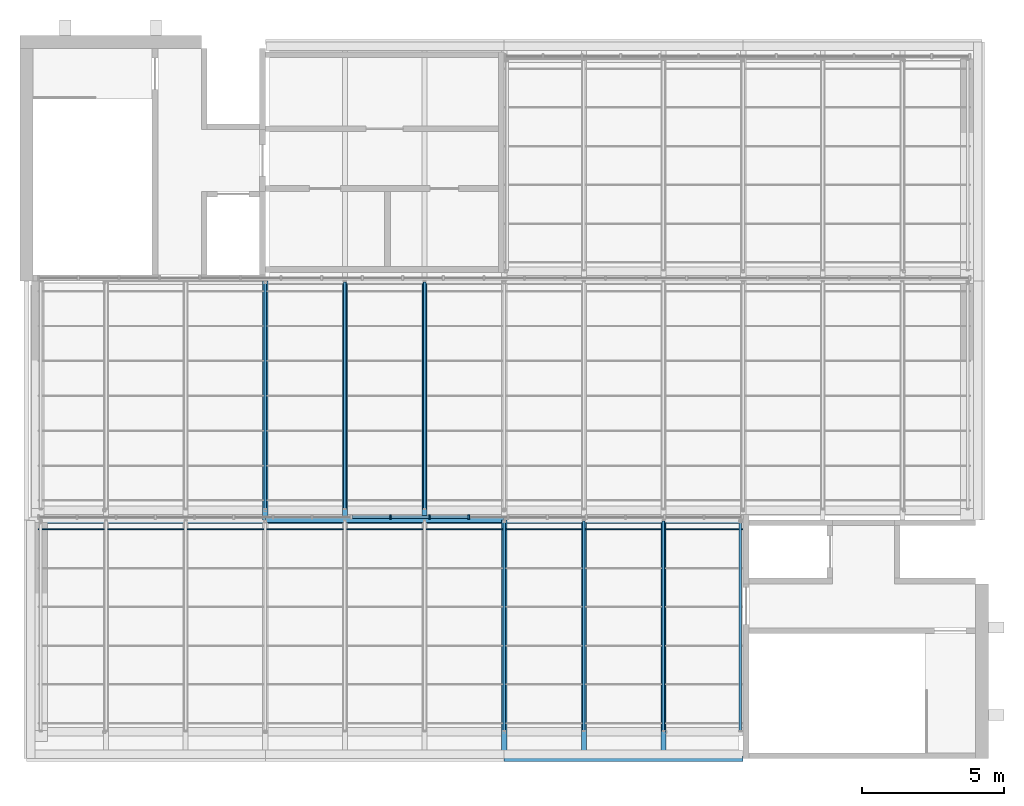
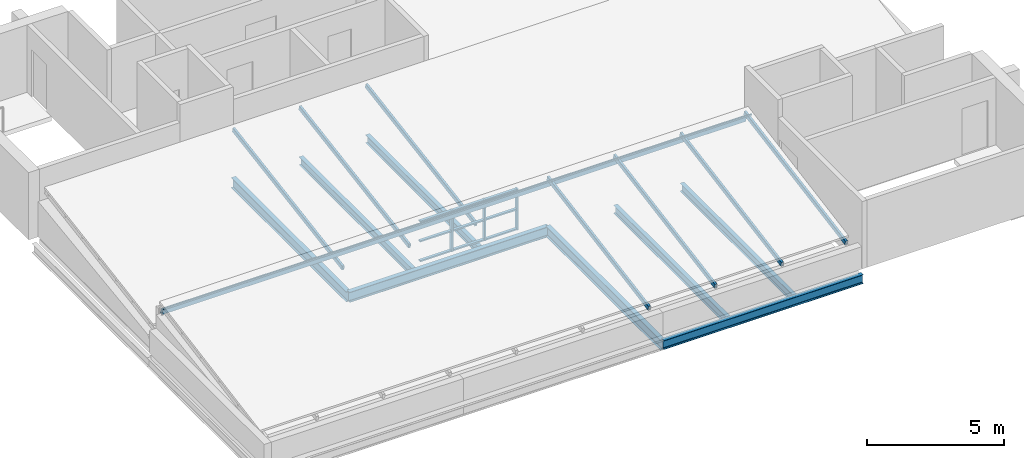
# One storey, part 3 of 33: 20 members, 9 beams, 1 element without a shape of its own.
"""IFC4 building model written with IfcOpenShell, lengths in metres."""

from ifc_helpers import new_model, si_unit, direction, frame, origin, origin_2d, place, context, subcontext, project, spatial, rectangle, hollow_rectangle, i_section, extrude, material, layer, layer_set, material_profile, profile_set, type_object, element, aggregate, save


model = new_model("IFC4")

# Units and contexts
model_context = context("Model", 3, precision=1e-05, world=origin(), true_north=direction((0.0, 1.0)))
body_context = subcontext(model_context, "Body", "Model", "MODEL_VIEW")
ifc_project = project(units=[si_unit("LENGTHUNIT", "METRE"), si_unit("AREAUNIT", "SQUARE_METRE"), si_unit("VOLUMEUNIT", "CUBIC_METRE"), si_unit("PLANEANGLEUNIT", "RADIAN"), si_unit("MASSUNIT", "GRAM", prefix="KILO")], contexts=[model_context])

# Site, building, storey
site_placement = place(None, origin())
site = spatial("IfcSite", under=ifc_project, at=site_placement, CompositionType="ELEMENT")
building_placement = place(site_placement, origin())
building = spatial("IfcBuilding", under=site, at=building_placement, Name="Ardhachandra Cancer Care Centre", CompositionType="ELEMENT")
storey_placement = place(building_placement, frame((0.0, 0.0, 27.0)))
storey = spatial("IfcBuildingStorey", under=building, at=storey_placement, Name="Roof", CompositionType="ELEMENT", Elevation=27.0)

# Beams
ifc_material_1 = material(Name="Steel E350 (IS 2062)", Category="steel")
ifc_material_profile_1 = material_profile(ifc_material_1, i_section(OverallWidth=0.172119140625, OverallDepth=0.364013671875, WebThickness=0.00927734375, FlangeThickness=0.0146484375, FilletRadius=0.01806640625, at=origin_2d()), Name="NPB 350x170x66.04")
ifc_profile_set_1 = profile_set([ifc_material_profile_1], Name="Steel E350 (IS 2062)")
beam_type_1 = type_object("IfcBeamType", Name="Beam NPB 350x170x66.04", PredefinedType="BEAM", material=ifc_profile_set_1)
for number, where, z_axis, x_axis, name in (
    (1, (122.800048828125, 88.2958984375, -0.382080078125), (0.0, 1.0, 0.0), (-1.0, 0.0, 0.0), "Secondary K14-L14@2800"),
    (2, (125.60009765625, 88.2958984375, -0.382080078125), (0.0, 1.0, 0.0), (-1.0, 0.0, 0.0), "Secondary K14-L14@5600"),
):
    element("IfcBeam", number, at=place(storey_placement, frame(where, z_axis=z_axis, x_axis=x_axis)), inside=storey, type_object=beam_type_1, Name=name, PredefinedType="BEAM", context=body_context, shape_type="SweptSolid", body=[
        extrude(i_section(OverallWidth=0.172119140625, OverallDepth=0.364013671875, WebThickness=0.00927734375, FlangeThickness=0.0146484375, FilletRadius=0.01806640625, at=origin_2d()), origin(), (0.0, 0.0, 1.0), 8.2080078125),
    ])
for number, where, z_axis, x_axis, name in (
    (3, (131.199951171875, 79.889892578125, -0.382080078125), (0.0, 1.0, 0.0), (-1.0, 0.0, 0.0), "Secondary J15-K15@2800"),
    (4, (134.0, 79.889892578125, -0.382080078125), (0.0, 1.0, 0.0), (-1.0, 0.0, 0.0), "Secondary J15-K15@5600"),
):
    element("IfcBeam", number, at=place(storey_placement, frame(where, z_axis=z_axis, x_axis=x_axis)), inside=storey, type_object=beam_type_1, Name=name, PredefinedType="BEAM", context=body_context, shape_type="SweptSolid", body=[
        extrude(i_section(OverallWidth=0.172119140625, OverallDepth=0.364013671875, WebThickness=0.00927734375, FlangeThickness=0.0146484375, FilletRadius=0.01806640625, at=origin_2d()), origin(), (0.0, 0.0, 1.0), 8.214111328125),
    ])
ifc_material_2 = material(Name="Steel E350 (IS 2062)", Category="steel")
ifc_material_profile_2 = material_profile(ifc_material_2, i_section(OverallWidth=0.179931640625, OverallDepth=0.39990234375, WebThickness=0.008544921875, FlangeThickness=0.013427734375, FilletRadius=0.02099609375, at=origin_2d()), Name="NPB 400x180x66.30")
ifc_profile_set_2 = profile_set([ifc_material_profile_2], Name="Steel E350 (IS 2062)")
beam_type_2 = type_object("IfcBeamType", Name="Beam NPB 400x180x66.30", PredefinedType="BEAM", material=ifc_profile_set_2)
beam_1_placement = place(storey_placement, frame((128.39990234375, 79.800048828125, -0.39990234375), z_axis=(1.0, 0.0, 0.0), x_axis=(0.0, 1.0, 0.0)))
element("IfcBeam", 5, at=beam_1_placement, inside=storey, type_object=beam_type_2, Name="Edge girder J15-J16", PredefinedType="BEAM", context=body_context, shape_type="SweptSolid", body=[
    extrude(i_section(OverallWidth=0.179931640625, OverallDepth=0.39990234375, WebThickness=0.008544921875, FlangeThickness=0.013427734375, FilletRadius=0.02099609375, at=origin_2d()), origin(), (0.0, 0.0, 1.0), 8.400146484375),
])
ifc_material_3 = material(Name="Steel E350 (IS 2062)", Category="steel")
ifc_material_profile_3 = material_profile(ifc_material_3, i_section(OverallWidth=0.19189453125, OverallDepth=0.4560546875, WebThickness=0.010986328125, FlangeThickness=0.017578125, FilletRadius=0.02099609375, at=origin_2d()), Name="NPB 450x190x92.36")
ifc_profile_set_3 = profile_set([ifc_material_profile_3], Name="Steel E350 (IS 2062)")
beam_type_3 = type_object("IfcBeamType", Name="Beam NPB 450x190x92.36", PredefinedType="BEAM", material=ifc_profile_set_3)
beam_2_placement = place(storey_placement, frame((120.0, 88.199951171875, -0.427978515625), z_axis=(1.0, 0.0, 0.0), x_axis=(0.0, 1.0, 0.0)))
element("IfcBeam", 6, at=beam_2_placement, inside=storey, type_object=beam_type_3, Name="Girder K14-K15", PredefinedType="BEAM", context=body_context, shape_type="SweptSolid", body=[
    extrude(i_section(OverallWidth=0.19189453125, OverallDepth=0.4560546875, WebThickness=0.010986328125, FlangeThickness=0.017578125, FilletRadius=0.02099609375, at=origin_2d()), origin(), (0.0, 0.0, 1.0), 8.39990234375),
])
beam_3_placement = place(storey_placement, frame((120.0, 88.199951171875, -0.427978515625), z_axis=(0.0, 1.0, 0.0), x_axis=(-1.0, 0.0, 0.0)))
element("IfcBeam", 7, at=beam_3_placement, inside=storey, type_object=beam_type_3, Name="Girder K14-L14", PredefinedType="BEAM", context=body_context, shape_type="SweptSolid", body=[
    extrude(i_section(OverallWidth=0.19189453125, OverallDepth=0.4560546875, WebThickness=0.010986328125, FlangeThickness=0.017578125, FilletRadius=0.02099609375, at=origin_2d()), origin(), (0.0, 0.0, 1.0), 8.400146484375),
])
beam_4_placement = place(storey_placement, frame((128.39990234375, 79.800048828125, -0.427978515625), z_axis=(0.0, 1.0, 0.0), x_axis=(-1.0, 0.0, 0.0)))
element("IfcBeam", 8, at=beam_4_placement, inside=storey, type_object=beam_type_3, Name="Girder J15-K15", PredefinedType="BEAM", context=body_context, shape_type="SweptSolid", body=[
    extrude(i_section(OverallWidth=0.19189453125, OverallDepth=0.4560546875, WebThickness=0.010986328125, FlangeThickness=0.017578125, FilletRadius=0.02099609375, at=origin_2d()), origin(), (0.0, 0.0, 1.0), 8.39990234375),
])

# Curtain wall, members
ifc_material_4 = material(Name="Aluminium extrusion", Category="aluminium")
ifc_layer = layer(ifc_material_4, 0.14990234375)
ifc_layer_set = layer_set([ifc_layer], Name="Aluminium extrusion")
curtain_wall_type = type_object("IfcCurtainWallType", Name="Curtain wall run", PredefinedType="NOTDEFINED", material=ifc_layer_set)
curtain_wall_placement = place(storey_placement, origin())
curtain_wall = element("IfcCurtainWall", 9, at=curtain_wall_placement, inside=storey, type_object=curtain_wall_type, Name="Curtain wall Roof n/0112000_0088300", PredefinedType="NOTDEFINED")
ifc_material_5 = material(Name="Aluminium extrusion", Category="aluminium")
ifc_material_profile_4 = material_profile(ifc_material_5, rectangle(XDim=0.159912109375, YDim=0.06005859375, at=origin_2d()), Name="Curtain wall mullion 60 x 160")
ifc_profile_set_4 = profile_set([ifc_material_profile_4], Name="Aluminium extrusion")
member_type_1 = type_object("IfcMemberType", Name="Curtain wall mullion 60 x 160", PredefinedType="MULLION", material=ifc_profile_set_4)
member_1_placement = place(storey_placement, frame((124.39990234375, 88.300048828125, 0.0), z_axis=(0.0, 0.0, 1.0), x_axis=(0.0, 1.0, 0.0)))
member_1 = element("IfcMember", 10, at=member_1_placement, type_object=member_type_1, Name="CW mullion 10", PredefinedType="MULLION", context=body_context, shape_type="SweptSolid", body=[
    extrude(rectangle(XDim=0.159912109375, YDim=0.06005859375, at=origin_2d()), origin(), (0.0, 0.0, 1.0), 1.820068359375),
])
member_2_placement = place(storey_placement, frame((125.77783203125, 88.300048828125, 0.0), z_axis=(0.0, 0.0, 1.0), x_axis=(0.0, 1.0, 0.0)))
member_2 = element("IfcMember", 11, at=member_2_placement, type_object=member_type_1, Name="CW mullion 11", PredefinedType="MULLION", context=body_context, shape_type="SweptSolid", body=[
    extrude(rectangle(XDim=0.159912109375, YDim=0.06005859375, at=origin_2d()), origin(), (0.0, 0.0, 1.0), 1.820068359375),
])
member_3_placement = place(storey_placement, frame((127.155517578125, 88.300048828125, 0.0), z_axis=(0.0, 0.0, 1.0), x_axis=(0.0, 1.0, 0.0)))
member_3 = element("IfcMember", 12, at=member_3_placement, type_object=member_type_1, Name="CW mullion 12", PredefinedType="MULLION", context=body_context, shape_type="SweptSolid", body=[
    extrude(rectangle(XDim=0.159912109375, YDim=0.06005859375, at=origin_2d()), origin(), (0.0, 0.0, 1.0), 1.820068359375),
])
ifc_material_6 = material(Name="Aluminium extrusion", Category="aluminium")
ifc_material_profile_5 = material_profile(ifc_material_6, rectangle(XDim=0.1201171875, YDim=0.06005859375, at=origin_2d()), Name="Curtain wall transom 60 x 120")
ifc_profile_set_5 = profile_set([ifc_material_profile_5], Name="Aluminium extrusion")
member_type_2 = type_object("IfcMemberType", Name="Curtain wall transom 60 x 120", PredefinedType="USERDEFINED", material=ifc_profile_set_5)
member_4_placement = place(storey_placement, frame((123.05224609375, 88.300048828125, 0.030029296875), z_axis=(1.0, 0.0, 0.0), x_axis=(0.0, 1.0, 0.0)))
member_4 = element("IfcMember", 13, at=member_4_placement, type_object=member_type_2, Name="CW transom 9.1", ObjectType="TRANSOM", PredefinedType="USERDEFINED", context=body_context, shape_type="SweptSolid", body=[
    extrude(rectangle(XDim=0.1201171875, YDim=0.06005859375, at=origin_2d()), origin(), (0.0, 0.0, 1.0), 1.31787109375),
])
member_5_placement = place(storey_placement, frame((123.05224609375, 88.300048828125, 0.909912109375), z_axis=(1.0, 0.0, 0.0), x_axis=(0.0, 1.0, 0.0)))
member_5 = element("IfcMember", 14, at=member_5_placement, type_object=member_type_2, Name="CW transom 9.2", ObjectType="TRANSOM", PredefinedType="USERDEFINED", context=body_context, shape_type="SweptSolid", body=[
    extrude(rectangle(XDim=0.1201171875, YDim=0.06005859375, at=origin_2d()), origin(), (0.0, 0.0, 1.0), 1.31787109375),
])
member_6_placement = place(storey_placement, frame((123.05224609375, 88.300048828125, 1.7900390625), z_axis=(1.0, 0.0, 0.0), x_axis=(0.0, 1.0, 0.0)))
member_6 = element("IfcMember", 15, at=member_6_placement, type_object=member_type_2, Name="CW transom 9.3", ObjectType="TRANSOM", PredefinedType="USERDEFINED", context=body_context, shape_type="SweptSolid", body=[
    extrude(rectangle(XDim=0.1201171875, YDim=0.06005859375, at=origin_2d()), origin(), (0.0, 0.0, 1.0), 1.31787109375),
])
member_7_placement = place(storey_placement, frame((124.429931640625, 88.300048828125, 0.030029296875), z_axis=(1.0, 0.0, 0.0), x_axis=(0.0, 1.0, 0.0)))
member_7 = element("IfcMember", 16, at=member_7_placement, type_object=member_type_2, Name="CW transom 10.1", ObjectType="TRANSOM", PredefinedType="USERDEFINED", context=body_context, shape_type="SweptSolid", body=[
    extrude(rectangle(XDim=0.1201171875, YDim=0.06005859375, at=origin_2d()), origin(), (0.0, 0.0, 1.0), 1.31787109375),
])
member_8_placement = place(storey_placement, frame((124.429931640625, 88.300048828125, 0.909912109375), z_axis=(1.0, 0.0, 0.0), x_axis=(0.0, 1.0, 0.0)))
member_8 = element("IfcMember", 17, at=member_8_placement, type_object=member_type_2, Name="CW transom 10.2", ObjectType="TRANSOM", PredefinedType="USERDEFINED", context=body_context, shape_type="SweptSolid", body=[
    extrude(rectangle(XDim=0.1201171875, YDim=0.06005859375, at=origin_2d()), origin(), (0.0, 0.0, 1.0), 1.31787109375),
])
member_9_placement = place(storey_placement, frame((124.429931640625, 88.300048828125, 1.7900390625), z_axis=(1.0, 0.0, 0.0), x_axis=(0.0, 1.0, 0.0)))
member_9 = element("IfcMember", 18, at=member_9_placement, type_object=member_type_2, Name="CW transom 10.3", ObjectType="TRANSOM", PredefinedType="USERDEFINED", context=body_context, shape_type="SweptSolid", body=[
    extrude(rectangle(XDim=0.1201171875, YDim=0.06005859375, at=origin_2d()), origin(), (0.0, 0.0, 1.0), 1.31787109375),
])
member_10_placement = place(storey_placement, frame((125.807861328125, 88.300048828125, 0.030029296875), z_axis=(1.0, 0.0, 0.0), x_axis=(0.0, 1.0, 0.0)))
member_10 = element("IfcMember", 19, at=member_10_placement, type_object=member_type_2, Name="CW transom 11.1", ObjectType="TRANSOM", PredefinedType="USERDEFINED", context=body_context, shape_type="SweptSolid", body=[
    extrude(rectangle(XDim=0.1201171875, YDim=0.06005859375, at=origin_2d()), origin(), (0.0, 0.0, 1.0), 1.317626953125),
])
member_11_placement = place(storey_placement, frame((125.807861328125, 88.300048828125, 0.909912109375), z_axis=(1.0, 0.0, 0.0), x_axis=(0.0, 1.0, 0.0)))
member_11 = element("IfcMember", 20, at=member_11_placement, type_object=member_type_2, Name="CW transom 11.2", ObjectType="TRANSOM", PredefinedType="USERDEFINED", context=body_context, shape_type="SweptSolid", body=[
    extrude(rectangle(XDim=0.1201171875, YDim=0.06005859375, at=origin_2d()), origin(), (0.0, 0.0, 1.0), 1.317626953125),
])
member_12_placement = place(storey_placement, frame((125.807861328125, 88.300048828125, 1.7900390625), z_axis=(1.0, 0.0, 0.0), x_axis=(0.0, 1.0, 0.0)))
member_12 = element("IfcMember", 21, at=member_12_placement, type_object=member_type_2, Name="CW transom 11.3", ObjectType="TRANSOM", PredefinedType="USERDEFINED", context=body_context, shape_type="SweptSolid", body=[
    extrude(rectangle(XDim=0.1201171875, YDim=0.06005859375, at=origin_2d()), origin(), (0.0, 0.0, 1.0), 1.317626953125),
])
aggregate(curtain_wall, [member_1, member_2, member_3, member_4, member_5, member_6, member_7, member_8, member_9, member_10, member_11, member_12])

# Members
ifc_material_7 = material(Name="Steel E350 (IS 2062)", Category="steel")
ifc_material_profile_6 = material_profile(ifc_material_7, hollow_rectangle(XDim=0.0400390625, YDim=0.080078125, WallThickness=0.00390625, InnerFilletRadius=0.00390625, OuterFilletRadius=0.008056640625, at=origin_2d()), Name="RHS 80x40x4.0")
ifc_profile_set_6 = profile_set([ifc_material_profile_6], Name="Steel E350 (IS 2062)")
member_type_3 = type_object("IfcMemberType", Name="Roof purlin RHS 80x40x4.0", PredefinedType="PURLIN", material=ifc_profile_set_6)
member_13_placement = place(storey_placement, frame((112.0, 87.86181640625, 2.00341796875), z_axis=(1.0, 0.0, 0.0), x_axis=(0.0, 0.984460447526, 0.175606455623)))
element("IfcMember", 22, at=member_13_placement, inside=storey, type_object=member_type_3, Name="Purlin ST1a.6", PredefinedType="PURLIN", context=body_context, shape_type="SweptSolid", body=[
    extrude(hollow_rectangle(XDim=0.0400390625, YDim=0.080078125, WallThickness=0.00390625, InnerFilletRadius=0.00390625, OuterFilletRadius=0.008056640625, at=origin_2d()), origin(), (0.0, 0.0, 1.0), 24.800048828125),
])
ifc_material_8 = material(Name="Steel E350 (IS 2062)", Category="steel")
ifc_material_profile_7 = material_profile(ifc_material_8, hollow_rectangle(XDim=0.10009765625, YDim=0.199951171875, WallThickness=0.006103515625, InnerFilletRadius=0.006103515625, OuterFilletRadius=0.011962890625, at=origin_2d()), Name="RHS 200x100x6.0")
ifc_profile_set_7 = profile_set([ifc_material_profile_7], Name="Steel E350 (IS 2062)")
member_type_4 = type_object("IfcMemberType", Name="Roof rafter RHS 200x100x6.0", PredefinedType="RAFTER", material=ifc_profile_set_7)
for number, where, z_axis, x_axis, name in (
    (23, (128.39990234375, 80.782470703125, 0.598388671875), (0.0, 0.984458474177, 0.175617517977), (-1.0, 0.0, 0.0), "Rafter ST1a.7"),
    (24, (131.199951171875, 80.782470703125, 0.598388671875), (0.0, 0.984458474177, 0.175617517977), (-1.0, 0.0, 0.0), "Rafter ST1a.8"),
    (25, (134.0, 80.782470703125, 0.598388671875), (0.0, 0.984458474177, 0.175617517977), (-1.0, 0.0, 0.0), "Rafter ST1a.9"),
    (26, (136.699951171875, 80.782470703125, 0.598388671875), (0.0, 0.984458474177, 0.175617517977), (-1.0, 0.0, 0.0), "Rafter ST1a.10"),
):
    element("IfcMember", number, at=place(storey_placement, frame(where, z_axis=z_axis, x_axis=x_axis)), inside=storey, type_object=member_type_4, Name=name, PredefinedType="RAFTER", context=body_context, shape_type="SweptSolid", body=[
        extrude(hollow_rectangle(XDim=0.10009765625, YDim=0.199951171875, WallThickness=0.006103515625, InnerFilletRadius=0.006103515625, OuterFilletRadius=0.011962890625, at=origin_2d()), origin(), (0.0, 0.0, 1.0), 7.516845703125),
    ])
for number, where, z_axis, x_axis, name in (
    (27, (120.0, 88.583740234375, 0.5986328125), (0.0, 0.986657936602, 0.162806990454), (-1.0, 0.0, 0.0), "Rafter ST2a.4"),
    (28, (122.800048828125, 88.583740234375, 0.5986328125), (0.0, 0.986657936602, 0.162806990454), (-1.0, 0.0, 0.0), "Rafter ST2a.5"),
    (29, (125.60009765625, 88.583740234375, 0.5986328125), (0.0, 0.986657936602, 0.162806990454), (-1.0, 0.0, 0.0), "Rafter ST2a.6"),
):
    element("IfcMember", number, at=place(storey_placement, frame(where, z_axis=z_axis, x_axis=x_axis)), inside=storey, type_object=member_type_4, Name=name, PredefinedType="RAFTER", context=body_context, shape_type="SweptSolid", body=[
        extrude(hollow_rectangle(XDim=0.10009765625, YDim=0.199951171875, WallThickness=0.006103515625, InnerFilletRadius=0.006103515625, OuterFilletRadius=0.011962890625, at=origin_2d()), origin(), (0.0, 0.0, 1.0), 8.108154296875),
    ])

# Beam
ifc_material_9 = material(Name="Steel E350 (IS 2062)", Category="steel")
ifc_material_profile_8 = material_profile(ifc_material_9, hollow_rectangle(XDim=0.1201171875, YDim=0.239990234375, WallThickness=0.006103515625, InnerFilletRadius=0.006103515625, OuterFilletRadius=0.011962890625, at=origin_2d()), Name="RHS 240x120x6.0")
ifc_profile_set_8 = profile_set([ifc_material_profile_8], Name="Steel E350 (IS 2062)")
beam_type_4 = type_object("IfcBeamType", Name="Sawtooth ridge beam RHS 240x120x6.0", PredefinedType="BEAM", material=ifc_profile_set_8)
beam_5_placement = place(storey_placement, frame((112.10009765625, 88.14990234375, 1.689208984375), z_axis=(1.0, 0.0, 0.0), x_axis=(0.0, 0.984460447526, 0.175606455623)))
element("IfcBeam", 30, at=beam_5_placement, inside=storey, type_object=beam_type_4, Name="Ridge beam ST1a", PredefinedType="BEAM", context=body_context, shape_type="SweptSolid", body=[
    extrude(hollow_rectangle(XDim=0.1201171875, YDim=0.239990234375, WallThickness=0.006103515625, InnerFilletRadius=0.006103515625, OuterFilletRadius=0.011962890625, at=origin_2d()), origin(), (0.0, 0.0, 1.0), 24.599853515625),
])

save(model, "model.ifc")
